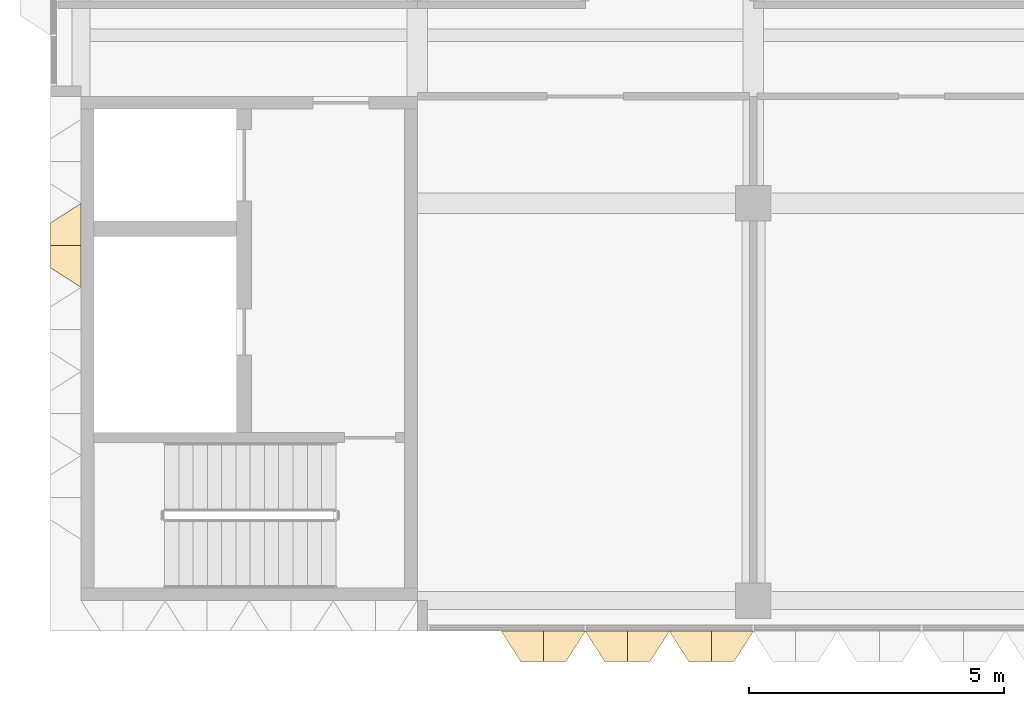
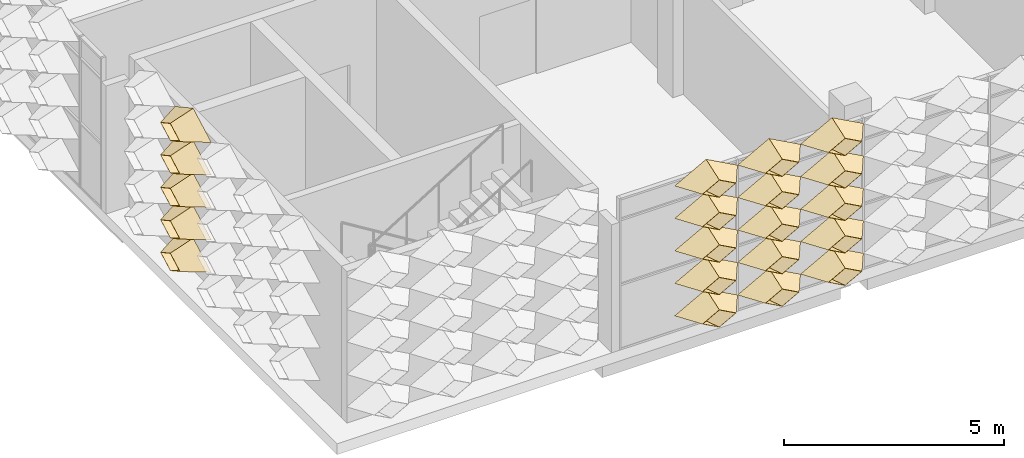
# One storey, part 13 of 28: 20 coverings.
"""IFC4 building model written with IfcOpenShell, lengths in metres."""

from ifc_helpers import new_model, entity, si_unit, direction, frame, origin, place, context, subcontext, project, spatial, material, layer, layer_set, type_object, element, save


model = new_model("IFC4")

# Units and contexts
model_context = context("Model", 3, precision=1e-05, world=origin(), true_north=direction((0.0, 1.0)))
body_context = subcontext(model_context, "Body", "Model", "MODEL_VIEW")
ifc_project = project(units=[si_unit("LENGTHUNIT", "METRE"), si_unit("AREAUNIT", "SQUARE_METRE"), si_unit("VOLUMEUNIT", "CUBIC_METRE"), si_unit("PLANEANGLEUNIT", "RADIAN"), si_unit("MASSUNIT", "GRAM", prefix="KILO")], contexts=[model_context])

# Site, building, storey
site_placement = place(None, origin())
site = spatial("IfcSite", under=ifc_project, at=site_placement, CompositionType="ELEMENT")
building_placement = place(site_placement, origin())
building = spatial("IfcBuilding", under=site, at=building_placement, Name="Lantern Court Research Institute", CompositionType="ELEMENT")
storey_placement = place(building_placement, frame((0.0, 0.0, 36.89990234375)))
storey = spatial("IfcBuildingStorey", under=building, at=storey_placement, Name="L08", CompositionType="ELEMENT", Elevation=36.89990234375)

# Coverings
ifc_material = material(Name="Anodised aluminium", Category="aluminium")
ifc_layer = layer(ifc_material, 0.01611328125)
ifc_layer_set = layer_set([ifc_layer], Name="Anodised aluminium")
covering_type = type_object("IfcCoveringType", Name="Fin cassette 1650 x 900 x 600 aluminium", PredefinedType="CLADDING", material=ifc_layer_set)
covering_1_placement = place(storey_placement, frame((61.875, -8.39990234375, 0.4501953125), z_axis=(0.0, -1.0, 0.0), x_axis=(1.0, 0.0, 0.0)))
cartesian_point_1 = entity("IfcCartesianPoint", [0.824951171875, 0.0])
cartesian_point_2 = entity("IfcCartesianPoint", [0.79150390625, 0.0])
cartesian_point_3 = entity("IfcCartesianPoint", [0.44189453125, 0.0])
cartesian_point_4 = entity("IfcCartesianPoint", [0.43359375, 0.0])
element("IfcCovering", 1, at=covering_1_placement, inside=storey, type_object=covering_type, Name="Fin cassette V5S-L08 1.38", PredefinedType="CLADDING", context=body_context, shape_type="SweptSolid", body=[
    entity("IfcExtrudedAreaSolidTapered", entity("IfcArbitraryProfileDefWithVoids", "AREA", None, entity("IfcPolyline", [cartesian_point_1, entity("IfcCartesianPoint", [0.0, 0.449951171875]), entity("IfcCartesianPoint", [-0.824951171875, 0.0]), entity("IfcCartesianPoint", [0.0, -0.449951171875]), cartesian_point_1]), [entity("IfcPolyline", [cartesian_point_2, entity("IfcCartesianPoint", [0.0, 0.431884765625]), entity("IfcCartesianPoint", [-0.79150390625, 0.0]), entity("IfcCartesianPoint", [0.0, -0.431884765625]), cartesian_point_2])]), entity("IfcAxis2Placement3D", entity("IfcCartesianPoint", [0.0, 0.0, 0.0])), entity("IfcDirection", [0.0, 0.0, 1.0]), 0.60009765625, entity("IfcArbitraryProfileDefWithVoids", "AREA", None, entity("IfcPolyline", [cartesian_point_3, entity("IfcCartesianPoint", [0.0, 0.240966796875]), entity("IfcCartesianPoint", [-0.44189453125, 0.0]), entity("IfcCartesianPoint", [0.0, -0.240966796875]), cartesian_point_3]), [entity("IfcPolyline", [cartesian_point_4, entity("IfcCartesianPoint", [0.0, 0.236572265625]), entity("IfcCartesianPoint", [-0.43359375, 0.0]), entity("IfcCartesianPoint", [0.0, -0.236572265625]), cartesian_point_4])])),
])
covering_2_placement = place(storey_placement, frame((63.52490234375, -8.39990234375, 0.4501953125), z_axis=(0.0, -1.0, 0.0), x_axis=(1.0, 0.0, 0.0)))
cartesian_point_5 = entity("IfcCartesianPoint", [0.824951171875, 0.0])
cartesian_point_6 = entity("IfcCartesianPoint", [0.79150390625, 0.0])
cartesian_point_7 = entity("IfcCartesianPoint", [0.44189453125, 0.0])
cartesian_point_8 = entity("IfcCartesianPoint", [0.43359375, 0.0])
element("IfcCovering", 2, at=covering_2_placement, inside=storey, type_object=covering_type, Name="Fin cassette V5S-L08 1.39", PredefinedType="CLADDING", context=body_context, shape_type="SweptSolid", body=[
    entity("IfcExtrudedAreaSolidTapered", entity("IfcArbitraryProfileDefWithVoids", "AREA", None, entity("IfcPolyline", [cartesian_point_5, entity("IfcCartesianPoint", [0.0, 0.449951171875]), entity("IfcCartesianPoint", [-0.824951171875, 0.0]), entity("IfcCartesianPoint", [0.0, -0.449951171875]), cartesian_point_5]), [entity("IfcPolyline", [cartesian_point_6, entity("IfcCartesianPoint", [0.0, 0.431884765625]), entity("IfcCartesianPoint", [-0.79150390625, 0.0]), entity("IfcCartesianPoint", [0.0, -0.431884765625]), cartesian_point_6])]), entity("IfcAxis2Placement3D", entity("IfcCartesianPoint", [0.0, 0.0, 0.0])), entity("IfcDirection", [0.0, 0.0, 1.0]), 0.60009765625, entity("IfcArbitraryProfileDefWithVoids", "AREA", None, entity("IfcPolyline", [cartesian_point_7, entity("IfcCartesianPoint", [0.0, 0.240966796875]), entity("IfcCartesianPoint", [-0.44189453125, 0.0]), entity("IfcCartesianPoint", [0.0, -0.240966796875]), cartesian_point_7]), [entity("IfcPolyline", [cartesian_point_8, entity("IfcCartesianPoint", [0.0, 0.236572265625]), entity("IfcCartesianPoint", [-0.43359375, 0.0]), entity("IfcCartesianPoint", [0.0, -0.236572265625]), cartesian_point_8])])),
])
covering_3_placement = place(storey_placement, frame((65.175048828125, -8.39990234375, 0.4501953125), z_axis=(0.0, -1.0, 0.0), x_axis=(1.0, 0.0, 0.0)))
cartesian_point_9 = entity("IfcCartesianPoint", [0.824951171875, 0.0])
cartesian_point_10 = entity("IfcCartesianPoint", [0.79150390625, 0.0])
cartesian_point_11 = entity("IfcCartesianPoint", [0.44189453125, 0.0])
cartesian_point_12 = entity("IfcCartesianPoint", [0.43359375, 0.0])
element("IfcCovering", 3, at=covering_3_placement, inside=storey, type_object=covering_type, Name="Fin cassette V5S-L08 1.40", PredefinedType="CLADDING", context=body_context, shape_type="SweptSolid", body=[
    entity("IfcExtrudedAreaSolidTapered", entity("IfcArbitraryProfileDefWithVoids", "AREA", None, entity("IfcPolyline", [cartesian_point_9, entity("IfcCartesianPoint", [0.0, 0.449951171875]), entity("IfcCartesianPoint", [-0.824951171875, 0.0]), entity("IfcCartesianPoint", [0.0, -0.449951171875]), cartesian_point_9]), [entity("IfcPolyline", [cartesian_point_10, entity("IfcCartesianPoint", [0.0, 0.431884765625]), entity("IfcCartesianPoint", [-0.79150390625, 0.0]), entity("IfcCartesianPoint", [0.0, -0.431884765625]), cartesian_point_10])]), entity("IfcAxis2Placement3D", entity("IfcCartesianPoint", [0.0, 0.0, 0.0])), entity("IfcDirection", [0.0, 0.0, 1.0]), 0.60009765625, entity("IfcArbitraryProfileDefWithVoids", "AREA", None, entity("IfcPolyline", [cartesian_point_11, entity("IfcCartesianPoint", [0.0, 0.240966796875]), entity("IfcCartesianPoint", [-0.44189453125, 0.0]), entity("IfcCartesianPoint", [0.0, -0.240966796875]), cartesian_point_11]), [entity("IfcPolyline", [cartesian_point_12, entity("IfcCartesianPoint", [0.0, 0.236572265625]), entity("IfcCartesianPoint", [-0.43359375, 0.0]), entity("IfcCartesianPoint", [0.0, -0.236572265625]), cartesian_point_12])])),
])
covering_4_placement = place(storey_placement, frame((61.875, -8.39990234375, 1.35009765625), z_axis=(0.0, -1.0, 0.0), x_axis=(1.0, 0.0, 0.0)))
cartesian_point_13 = entity("IfcCartesianPoint", [0.824951171875, 0.0])
cartesian_point_14 = entity("IfcCartesianPoint", [0.79150390625, 0.0])
cartesian_point_15 = entity("IfcCartesianPoint", [0.44189453125, 0.0])
cartesian_point_16 = entity("IfcCartesianPoint", [0.43359375, 0.0])
element("IfcCovering", 4, at=covering_4_placement, inside=storey, type_object=covering_type, Name="Fin cassette V5S-L08 2.38", PredefinedType="CLADDING", context=body_context, shape_type="SweptSolid", body=[
    entity("IfcExtrudedAreaSolidTapered", entity("IfcArbitraryProfileDefWithVoids", "AREA", None, entity("IfcPolyline", [cartesian_point_13, entity("IfcCartesianPoint", [0.0, 0.449951171875]), entity("IfcCartesianPoint", [-0.824951171875, 0.0]), entity("IfcCartesianPoint", [0.0, -0.449951171875]), cartesian_point_13]), [entity("IfcPolyline", [cartesian_point_14, entity("IfcCartesianPoint", [0.0, 0.431884765625]), entity("IfcCartesianPoint", [-0.79150390625, 0.0]), entity("IfcCartesianPoint", [0.0, -0.431884765625]), cartesian_point_14])]), entity("IfcAxis2Placement3D", entity("IfcCartesianPoint", [0.0, 0.0, 0.0])), entity("IfcDirection", [0.0, 0.0, 1.0]), 0.60009765625, entity("IfcArbitraryProfileDefWithVoids", "AREA", None, entity("IfcPolyline", [cartesian_point_15, entity("IfcCartesianPoint", [0.0, 0.240966796875]), entity("IfcCartesianPoint", [-0.44189453125, 0.0]), entity("IfcCartesianPoint", [0.0, -0.240966796875]), cartesian_point_15]), [entity("IfcPolyline", [cartesian_point_16, entity("IfcCartesianPoint", [0.0, 0.236572265625]), entity("IfcCartesianPoint", [-0.43359375, 0.0]), entity("IfcCartesianPoint", [0.0, -0.236572265625]), cartesian_point_16])])),
])
covering_5_placement = place(storey_placement, frame((63.52490234375, -8.39990234375, 1.35009765625), z_axis=(0.0, -1.0, 0.0), x_axis=(1.0, 0.0, 0.0)))
cartesian_point_17 = entity("IfcCartesianPoint", [0.824951171875, 0.0])
cartesian_point_18 = entity("IfcCartesianPoint", [0.79150390625, 0.0])
cartesian_point_19 = entity("IfcCartesianPoint", [0.44189453125, 0.0])
cartesian_point_20 = entity("IfcCartesianPoint", [0.43359375, 0.0])
element("IfcCovering", 5, at=covering_5_placement, inside=storey, type_object=covering_type, Name="Fin cassette V5S-L08 2.39", PredefinedType="CLADDING", context=body_context, shape_type="SweptSolid", body=[
    entity("IfcExtrudedAreaSolidTapered", entity("IfcArbitraryProfileDefWithVoids", "AREA", None, entity("IfcPolyline", [cartesian_point_17, entity("IfcCartesianPoint", [0.0, 0.449951171875]), entity("IfcCartesianPoint", [-0.824951171875, 0.0]), entity("IfcCartesianPoint", [0.0, -0.449951171875]), cartesian_point_17]), [entity("IfcPolyline", [cartesian_point_18, entity("IfcCartesianPoint", [0.0, 0.431884765625]), entity("IfcCartesianPoint", [-0.79150390625, 0.0]), entity("IfcCartesianPoint", [0.0, -0.431884765625]), cartesian_point_18])]), entity("IfcAxis2Placement3D", entity("IfcCartesianPoint", [0.0, 0.0, 0.0])), entity("IfcDirection", [0.0, 0.0, 1.0]), 0.60009765625, entity("IfcArbitraryProfileDefWithVoids", "AREA", None, entity("IfcPolyline", [cartesian_point_19, entity("IfcCartesianPoint", [0.0, 0.240966796875]), entity("IfcCartesianPoint", [-0.44189453125, 0.0]), entity("IfcCartesianPoint", [0.0, -0.240966796875]), cartesian_point_19]), [entity("IfcPolyline", [cartesian_point_20, entity("IfcCartesianPoint", [0.0, 0.236572265625]), entity("IfcCartesianPoint", [-0.43359375, 0.0]), entity("IfcCartesianPoint", [0.0, -0.236572265625]), cartesian_point_20])])),
])
covering_6_placement = place(storey_placement, frame((65.175048828125, -8.39990234375, 1.35009765625), z_axis=(0.0, -1.0, 0.0), x_axis=(1.0, 0.0, 0.0)))
cartesian_point_21 = entity("IfcCartesianPoint", [0.824951171875, 0.0])
cartesian_point_22 = entity("IfcCartesianPoint", [0.79150390625, 0.0])
cartesian_point_23 = entity("IfcCartesianPoint", [0.44189453125, 0.0])
cartesian_point_24 = entity("IfcCartesianPoint", [0.43359375, 0.0])
element("IfcCovering", 6, at=covering_6_placement, inside=storey, type_object=covering_type, Name="Fin cassette V5S-L08 2.40", PredefinedType="CLADDING", context=body_context, shape_type="SweptSolid", body=[
    entity("IfcExtrudedAreaSolidTapered", entity("IfcArbitraryProfileDefWithVoids", "AREA", None, entity("IfcPolyline", [cartesian_point_21, entity("IfcCartesianPoint", [0.0, 0.449951171875]), entity("IfcCartesianPoint", [-0.824951171875, 0.0]), entity("IfcCartesianPoint", [0.0, -0.449951171875]), cartesian_point_21]), [entity("IfcPolyline", [cartesian_point_22, entity("IfcCartesianPoint", [0.0, 0.431884765625]), entity("IfcCartesianPoint", [-0.79150390625, 0.0]), entity("IfcCartesianPoint", [0.0, -0.431884765625]), cartesian_point_22])]), entity("IfcAxis2Placement3D", entity("IfcCartesianPoint", [0.0, 0.0, 0.0])), entity("IfcDirection", [0.0, 0.0, 1.0]), 0.60009765625, entity("IfcArbitraryProfileDefWithVoids", "AREA", None, entity("IfcPolyline", [cartesian_point_23, entity("IfcCartesianPoint", [0.0, 0.240966796875]), entity("IfcCartesianPoint", [-0.44189453125, 0.0]), entity("IfcCartesianPoint", [0.0, -0.240966796875]), cartesian_point_23]), [entity("IfcPolyline", [cartesian_point_24, entity("IfcCartesianPoint", [0.0, 0.236572265625]), entity("IfcCartesianPoint", [-0.43359375, 0.0]), entity("IfcCartesianPoint", [0.0, -0.236572265625]), cartesian_point_24])])),
])
covering_7_placement = place(storey_placement, frame((61.875, -8.39990234375, 2.25), z_axis=(0.0, -1.0, 0.0), x_axis=(1.0, 0.0, 0.0)))
cartesian_point_25 = entity("IfcCartesianPoint", [0.824951171875, 0.0])
cartesian_point_26 = entity("IfcCartesianPoint", [0.79150390625, 0.0])
cartesian_point_27 = entity("IfcCartesianPoint", [0.44189453125, 0.0])
cartesian_point_28 = entity("IfcCartesianPoint", [0.43359375, 0.0])
element("IfcCovering", 7, at=covering_7_placement, inside=storey, type_object=covering_type, Name="Fin cassette V5S-L08 3.38", PredefinedType="CLADDING", context=body_context, shape_type="SweptSolid", body=[
    entity("IfcExtrudedAreaSolidTapered", entity("IfcArbitraryProfileDefWithVoids", "AREA", None, entity("IfcPolyline", [cartesian_point_25, entity("IfcCartesianPoint", [0.0, 0.449951171875]), entity("IfcCartesianPoint", [-0.824951171875, 0.0]), entity("IfcCartesianPoint", [0.0, -0.449951171875]), cartesian_point_25]), [entity("IfcPolyline", [cartesian_point_26, entity("IfcCartesianPoint", [0.0, 0.431884765625]), entity("IfcCartesianPoint", [-0.79150390625, 0.0]), entity("IfcCartesianPoint", [0.0, -0.431884765625]), cartesian_point_26])]), entity("IfcAxis2Placement3D", entity("IfcCartesianPoint", [0.0, 0.0, 0.0])), entity("IfcDirection", [0.0, 0.0, 1.0]), 0.60009765625, entity("IfcArbitraryProfileDefWithVoids", "AREA", None, entity("IfcPolyline", [cartesian_point_27, entity("IfcCartesianPoint", [0.0, 0.240966796875]), entity("IfcCartesianPoint", [-0.44189453125, 0.0]), entity("IfcCartesianPoint", [0.0, -0.240966796875]), cartesian_point_27]), [entity("IfcPolyline", [cartesian_point_28, entity("IfcCartesianPoint", [0.0, 0.236572265625]), entity("IfcCartesianPoint", [-0.43359375, 0.0]), entity("IfcCartesianPoint", [0.0, -0.236572265625]), cartesian_point_28])])),
])
covering_8_placement = place(storey_placement, frame((63.52490234375, -8.39990234375, 2.25), z_axis=(0.0, -1.0, 0.0), x_axis=(1.0, 0.0, 0.0)))
cartesian_point_29 = entity("IfcCartesianPoint", [0.824951171875, 0.0])
cartesian_point_30 = entity("IfcCartesianPoint", [0.79150390625, 0.0])
cartesian_point_31 = entity("IfcCartesianPoint", [0.44189453125, 0.0])
cartesian_point_32 = entity("IfcCartesianPoint", [0.43359375, 0.0])
element("IfcCovering", 8, at=covering_8_placement, inside=storey, type_object=covering_type, Name="Fin cassette V5S-L08 3.39", PredefinedType="CLADDING", context=body_context, shape_type="SweptSolid", body=[
    entity("IfcExtrudedAreaSolidTapered", entity("IfcArbitraryProfileDefWithVoids", "AREA", None, entity("IfcPolyline", [cartesian_point_29, entity("IfcCartesianPoint", [0.0, 0.449951171875]), entity("IfcCartesianPoint", [-0.824951171875, 0.0]), entity("IfcCartesianPoint", [0.0, -0.449951171875]), cartesian_point_29]), [entity("IfcPolyline", [cartesian_point_30, entity("IfcCartesianPoint", [0.0, 0.431884765625]), entity("IfcCartesianPoint", [-0.79150390625, 0.0]), entity("IfcCartesianPoint", [0.0, -0.431884765625]), cartesian_point_30])]), entity("IfcAxis2Placement3D", entity("IfcCartesianPoint", [0.0, 0.0, 0.0])), entity("IfcDirection", [0.0, 0.0, 1.0]), 0.60009765625, entity("IfcArbitraryProfileDefWithVoids", "AREA", None, entity("IfcPolyline", [cartesian_point_31, entity("IfcCartesianPoint", [0.0, 0.240966796875]), entity("IfcCartesianPoint", [-0.44189453125, 0.0]), entity("IfcCartesianPoint", [0.0, -0.240966796875]), cartesian_point_31]), [entity("IfcPolyline", [cartesian_point_32, entity("IfcCartesianPoint", [0.0, 0.236572265625]), entity("IfcCartesianPoint", [-0.43359375, 0.0]), entity("IfcCartesianPoint", [0.0, -0.236572265625]), cartesian_point_32])])),
])
covering_9_placement = place(storey_placement, frame((65.175048828125, -8.39990234375, 2.25), z_axis=(0.0, -1.0, 0.0), x_axis=(1.0, 0.0, 0.0)))
cartesian_point_33 = entity("IfcCartesianPoint", [0.824951171875, 0.0])
cartesian_point_34 = entity("IfcCartesianPoint", [0.79150390625, 0.0])
cartesian_point_35 = entity("IfcCartesianPoint", [0.44189453125, 0.0])
cartesian_point_36 = entity("IfcCartesianPoint", [0.43359375, 0.0])
element("IfcCovering", 9, at=covering_9_placement, inside=storey, type_object=covering_type, Name="Fin cassette V5S-L08 3.40", PredefinedType="CLADDING", context=body_context, shape_type="SweptSolid", body=[
    entity("IfcExtrudedAreaSolidTapered", entity("IfcArbitraryProfileDefWithVoids", "AREA", None, entity("IfcPolyline", [cartesian_point_33, entity("IfcCartesianPoint", [0.0, 0.449951171875]), entity("IfcCartesianPoint", [-0.824951171875, 0.0]), entity("IfcCartesianPoint", [0.0, -0.449951171875]), cartesian_point_33]), [entity("IfcPolyline", [cartesian_point_34, entity("IfcCartesianPoint", [0.0, 0.431884765625]), entity("IfcCartesianPoint", [-0.79150390625, 0.0]), entity("IfcCartesianPoint", [0.0, -0.431884765625]), cartesian_point_34])]), entity("IfcAxis2Placement3D", entity("IfcCartesianPoint", [0.0, 0.0, 0.0])), entity("IfcDirection", [0.0, 0.0, 1.0]), 0.60009765625, entity("IfcArbitraryProfileDefWithVoids", "AREA", None, entity("IfcPolyline", [cartesian_point_35, entity("IfcCartesianPoint", [0.0, 0.240966796875]), entity("IfcCartesianPoint", [-0.44189453125, 0.0]), entity("IfcCartesianPoint", [0.0, -0.240966796875]), cartesian_point_35]), [entity("IfcPolyline", [cartesian_point_36, entity("IfcCartesianPoint", [0.0, 0.236572265625]), entity("IfcCartesianPoint", [-0.43359375, 0.0]), entity("IfcCartesianPoint", [0.0, -0.236572265625]), cartesian_point_36])])),
])
covering_10_placement = place(storey_placement, frame((61.875, -8.39990234375, 3.150146484375), z_axis=(0.0, -1.0, 0.0), x_axis=(1.0, 0.0, 0.0)))
cartesian_point_37 = entity("IfcCartesianPoint", [0.824951171875, 0.0])
cartesian_point_38 = entity("IfcCartesianPoint", [0.79150390625, 0.0])
cartesian_point_39 = entity("IfcCartesianPoint", [0.44189453125, 0.0])
cartesian_point_40 = entity("IfcCartesianPoint", [0.43359375, 0.0])
element("IfcCovering", 10, at=covering_10_placement, inside=storey, type_object=covering_type, Name="Fin cassette V5S-L08 4.38", PredefinedType="CLADDING", context=body_context, shape_type="SweptSolid", body=[
    entity("IfcExtrudedAreaSolidTapered", entity("IfcArbitraryProfileDefWithVoids", "AREA", None, entity("IfcPolyline", [cartesian_point_37, entity("IfcCartesianPoint", [0.0, 0.449951171875]), entity("IfcCartesianPoint", [-0.824951171875, 0.0]), entity("IfcCartesianPoint", [0.0, -0.449951171875]), cartesian_point_37]), [entity("IfcPolyline", [cartesian_point_38, entity("IfcCartesianPoint", [0.0, 0.431884765625]), entity("IfcCartesianPoint", [-0.79150390625, 0.0]), entity("IfcCartesianPoint", [0.0, -0.431884765625]), cartesian_point_38])]), entity("IfcAxis2Placement3D", entity("IfcCartesianPoint", [0.0, 0.0, 0.0])), entity("IfcDirection", [0.0, 0.0, 1.0]), 0.60009765625, entity("IfcArbitraryProfileDefWithVoids", "AREA", None, entity("IfcPolyline", [cartesian_point_39, entity("IfcCartesianPoint", [0.0, 0.240966796875]), entity("IfcCartesianPoint", [-0.44189453125, 0.0]), entity("IfcCartesianPoint", [0.0, -0.240966796875]), cartesian_point_39]), [entity("IfcPolyline", [cartesian_point_40, entity("IfcCartesianPoint", [0.0, 0.236572265625]), entity("IfcCartesianPoint", [-0.43359375, 0.0]), entity("IfcCartesianPoint", [0.0, -0.236572265625]), cartesian_point_40])])),
])
covering_11_placement = place(storey_placement, frame((63.52490234375, -8.39990234375, 3.150146484375), z_axis=(0.0, -1.0, 0.0), x_axis=(1.0, 0.0, 0.0)))
cartesian_point_41 = entity("IfcCartesianPoint", [0.824951171875, 0.0])
cartesian_point_42 = entity("IfcCartesianPoint", [0.79150390625, 0.0])
cartesian_point_43 = entity("IfcCartesianPoint", [0.44189453125, 0.0])
cartesian_point_44 = entity("IfcCartesianPoint", [0.43359375, 0.0])
element("IfcCovering", 11, at=covering_11_placement, inside=storey, type_object=covering_type, Name="Fin cassette V5S-L08 4.39", PredefinedType="CLADDING", context=body_context, shape_type="SweptSolid", body=[
    entity("IfcExtrudedAreaSolidTapered", entity("IfcArbitraryProfileDefWithVoids", "AREA", None, entity("IfcPolyline", [cartesian_point_41, entity("IfcCartesianPoint", [0.0, 0.449951171875]), entity("IfcCartesianPoint", [-0.824951171875, 0.0]), entity("IfcCartesianPoint", [0.0, -0.449951171875]), cartesian_point_41]), [entity("IfcPolyline", [cartesian_point_42, entity("IfcCartesianPoint", [0.0, 0.431884765625]), entity("IfcCartesianPoint", [-0.79150390625, 0.0]), entity("IfcCartesianPoint", [0.0, -0.431884765625]), cartesian_point_42])]), entity("IfcAxis2Placement3D", entity("IfcCartesianPoint", [0.0, 0.0, 0.0])), entity("IfcDirection", [0.0, 0.0, 1.0]), 0.60009765625, entity("IfcArbitraryProfileDefWithVoids", "AREA", None, entity("IfcPolyline", [cartesian_point_43, entity("IfcCartesianPoint", [0.0, 0.240966796875]), entity("IfcCartesianPoint", [-0.44189453125, 0.0]), entity("IfcCartesianPoint", [0.0, -0.240966796875]), cartesian_point_43]), [entity("IfcPolyline", [cartesian_point_44, entity("IfcCartesianPoint", [0.0, 0.236572265625]), entity("IfcCartesianPoint", [-0.43359375, 0.0]), entity("IfcCartesianPoint", [0.0, -0.236572265625]), cartesian_point_44])])),
])
covering_12_placement = place(storey_placement, frame((65.175048828125, -8.39990234375, 3.150146484375), z_axis=(0.0, -1.0, 0.0), x_axis=(1.0, 0.0, 0.0)))
cartesian_point_45 = entity("IfcCartesianPoint", [0.824951171875, 0.0])
cartesian_point_46 = entity("IfcCartesianPoint", [0.79150390625, 0.0])
cartesian_point_47 = entity("IfcCartesianPoint", [0.44189453125, 0.0])
cartesian_point_48 = entity("IfcCartesianPoint", [0.43359375, 0.0])
element("IfcCovering", 12, at=covering_12_placement, inside=storey, type_object=covering_type, Name="Fin cassette V5S-L08 4.40", PredefinedType="CLADDING", context=body_context, shape_type="SweptSolid", body=[
    entity("IfcExtrudedAreaSolidTapered", entity("IfcArbitraryProfileDefWithVoids", "AREA", None, entity("IfcPolyline", [cartesian_point_45, entity("IfcCartesianPoint", [0.0, 0.449951171875]), entity("IfcCartesianPoint", [-0.824951171875, 0.0]), entity("IfcCartesianPoint", [0.0, -0.449951171875]), cartesian_point_45]), [entity("IfcPolyline", [cartesian_point_46, entity("IfcCartesianPoint", [0.0, 0.431884765625]), entity("IfcCartesianPoint", [-0.79150390625, 0.0]), entity("IfcCartesianPoint", [0.0, -0.431884765625]), cartesian_point_46])]), entity("IfcAxis2Placement3D", entity("IfcCartesianPoint", [0.0, 0.0, 0.0])), entity("IfcDirection", [0.0, 0.0, 1.0]), 0.60009765625, entity("IfcArbitraryProfileDefWithVoids", "AREA", None, entity("IfcPolyline", [cartesian_point_47, entity("IfcCartesianPoint", [0.0, 0.240966796875]), entity("IfcCartesianPoint", [-0.44189453125, 0.0]), entity("IfcCartesianPoint", [0.0, -0.240966796875]), cartesian_point_47]), [entity("IfcPolyline", [cartesian_point_48, entity("IfcCartesianPoint", [0.0, 0.236572265625]), entity("IfcCartesianPoint", [-0.43359375, 0.0]), entity("IfcCartesianPoint", [0.0, -0.236572265625]), cartesian_point_48])])),
])
covering_13_placement = place(storey_placement, frame((61.875, -8.39990234375, 4.050048828125), z_axis=(0.0, -1.0, 0.0), x_axis=(1.0, 0.0, 0.0)))
cartesian_point_49 = entity("IfcCartesianPoint", [0.824951171875, 0.0])
cartesian_point_50 = entity("IfcCartesianPoint", [0.79150390625, 0.0])
cartesian_point_51 = entity("IfcCartesianPoint", [0.44189453125, 0.0])
cartesian_point_52 = entity("IfcCartesianPoint", [0.43359375, 0.0])
element("IfcCovering", 13, at=covering_13_placement, inside=storey, type_object=covering_type, Name="Fin cassette V5S-L08 5.38", PredefinedType="CLADDING", context=body_context, shape_type="SweptSolid", body=[
    entity("IfcExtrudedAreaSolidTapered", entity("IfcArbitraryProfileDefWithVoids", "AREA", None, entity("IfcPolyline", [cartesian_point_49, entity("IfcCartesianPoint", [0.0, 0.449951171875]), entity("IfcCartesianPoint", [-0.824951171875, 0.0]), entity("IfcCartesianPoint", [0.0, -0.449951171875]), cartesian_point_49]), [entity("IfcPolyline", [cartesian_point_50, entity("IfcCartesianPoint", [0.0, 0.431884765625]), entity("IfcCartesianPoint", [-0.79150390625, 0.0]), entity("IfcCartesianPoint", [0.0, -0.431884765625]), cartesian_point_50])]), entity("IfcAxis2Placement3D", entity("IfcCartesianPoint", [0.0, 0.0, 0.0])), entity("IfcDirection", [0.0, 0.0, 1.0]), 0.60009765625, entity("IfcArbitraryProfileDefWithVoids", "AREA", None, entity("IfcPolyline", [cartesian_point_51, entity("IfcCartesianPoint", [0.0, 0.240966796875]), entity("IfcCartesianPoint", [-0.44189453125, 0.0]), entity("IfcCartesianPoint", [0.0, -0.240966796875]), cartesian_point_51]), [entity("IfcPolyline", [cartesian_point_52, entity("IfcCartesianPoint", [0.0, 0.236572265625]), entity("IfcCartesianPoint", [-0.43359375, 0.0]), entity("IfcCartesianPoint", [0.0, -0.236572265625]), cartesian_point_52])])),
])
covering_14_placement = place(storey_placement, frame((63.52490234375, -8.39990234375, 4.050048828125), z_axis=(0.0, -1.0, 0.0), x_axis=(1.0, 0.0, 0.0)))
cartesian_point_53 = entity("IfcCartesianPoint", [0.824951171875, 0.0])
cartesian_point_54 = entity("IfcCartesianPoint", [0.79150390625, 0.0])
cartesian_point_55 = entity("IfcCartesianPoint", [0.44189453125, 0.0])
cartesian_point_56 = entity("IfcCartesianPoint", [0.43359375, 0.0])
element("IfcCovering", 14, at=covering_14_placement, inside=storey, type_object=covering_type, Name="Fin cassette V5S-L08 5.39", PredefinedType="CLADDING", context=body_context, shape_type="SweptSolid", body=[
    entity("IfcExtrudedAreaSolidTapered", entity("IfcArbitraryProfileDefWithVoids", "AREA", None, entity("IfcPolyline", [cartesian_point_53, entity("IfcCartesianPoint", [0.0, 0.449951171875]), entity("IfcCartesianPoint", [-0.824951171875, 0.0]), entity("IfcCartesianPoint", [0.0, -0.449951171875]), cartesian_point_53]), [entity("IfcPolyline", [cartesian_point_54, entity("IfcCartesianPoint", [0.0, 0.431884765625]), entity("IfcCartesianPoint", [-0.79150390625, 0.0]), entity("IfcCartesianPoint", [0.0, -0.431884765625]), cartesian_point_54])]), entity("IfcAxis2Placement3D", entity("IfcCartesianPoint", [0.0, 0.0, 0.0])), entity("IfcDirection", [0.0, 0.0, 1.0]), 0.60009765625, entity("IfcArbitraryProfileDefWithVoids", "AREA", None, entity("IfcPolyline", [cartesian_point_55, entity("IfcCartesianPoint", [0.0, 0.240966796875]), entity("IfcCartesianPoint", [-0.44189453125, 0.0]), entity("IfcCartesianPoint", [0.0, -0.240966796875]), cartesian_point_55]), [entity("IfcPolyline", [cartesian_point_56, entity("IfcCartesianPoint", [0.0, 0.236572265625]), entity("IfcCartesianPoint", [-0.43359375, 0.0]), entity("IfcCartesianPoint", [0.0, -0.236572265625]), cartesian_point_56])])),
])
covering_15_placement = place(storey_placement, frame((65.175048828125, -8.39990234375, 4.050048828125), z_axis=(0.0, -1.0, 0.0), x_axis=(1.0, 0.0, 0.0)))
cartesian_point_57 = entity("IfcCartesianPoint", [0.824951171875, 0.0])
cartesian_point_58 = entity("IfcCartesianPoint", [0.79150390625, 0.0])
cartesian_point_59 = entity("IfcCartesianPoint", [0.44189453125, 0.0])
cartesian_point_60 = entity("IfcCartesianPoint", [0.43359375, 0.0])
element("IfcCovering", 15, at=covering_15_placement, inside=storey, type_object=covering_type, Name="Fin cassette V5S-L08 5.40", PredefinedType="CLADDING", context=body_context, shape_type="SweptSolid", body=[
    entity("IfcExtrudedAreaSolidTapered", entity("IfcArbitraryProfileDefWithVoids", "AREA", None, entity("IfcPolyline", [cartesian_point_57, entity("IfcCartesianPoint", [0.0, 0.449951171875]), entity("IfcCartesianPoint", [-0.824951171875, 0.0]), entity("IfcCartesianPoint", [0.0, -0.449951171875]), cartesian_point_57]), [entity("IfcPolyline", [cartesian_point_58, entity("IfcCartesianPoint", [0.0, 0.431884765625]), entity("IfcCartesianPoint", [-0.79150390625, 0.0]), entity("IfcCartesianPoint", [0.0, -0.431884765625]), cartesian_point_58])]), entity("IfcAxis2Placement3D", entity("IfcCartesianPoint", [0.0, 0.0, 0.0])), entity("IfcDirection", [0.0, 0.0, 1.0]), 0.60009765625, entity("IfcArbitraryProfileDefWithVoids", "AREA", None, entity("IfcPolyline", [cartesian_point_59, entity("IfcCartesianPoint", [0.0, 0.240966796875]), entity("IfcCartesianPoint", [-0.44189453125, 0.0]), entity("IfcCartesianPoint", [0.0, -0.240966796875]), cartesian_point_59]), [entity("IfcPolyline", [cartesian_point_60, entity("IfcCartesianPoint", [0.0, 0.236572265625]), entity("IfcCartesianPoint", [-0.43359375, 0.0]), entity("IfcCartesianPoint", [0.0, -0.236572265625]), cartesian_point_60])])),
])
covering_16_placement = place(storey_placement, frame((52.800048828125, -0.824951171875, 0.4501953125), z_axis=(-1.0, 0.0, 0.0), x_axis=(0.0, -1.0, 0.0)))
cartesian_point_61 = entity("IfcCartesianPoint", [0.824951171875, 0.0])
cartesian_point_62 = entity("IfcCartesianPoint", [0.79150390625, 0.0])
cartesian_point_63 = entity("IfcCartesianPoint", [0.44189453125, 0.0])
cartesian_point_64 = entity("IfcCartesianPoint", [0.43359375, 0.0])
element("IfcCovering", 16, at=covering_16_placement, inside=storey, type_object=covering_type, Name="Fin cassette V5W-L08 1.0", PredefinedType="CLADDING", context=body_context, shape_type="SweptSolid", body=[
    entity("IfcExtrudedAreaSolidTapered", entity("IfcArbitraryProfileDefWithVoids", "AREA", None, entity("IfcPolyline", [cartesian_point_61, entity("IfcCartesianPoint", [0.0, 0.449951171875]), entity("IfcCartesianPoint", [-0.824951171875, 0.0]), entity("IfcCartesianPoint", [0.0, -0.449951171875]), cartesian_point_61]), [entity("IfcPolyline", [cartesian_point_62, entity("IfcCartesianPoint", [0.0, 0.431884765625]), entity("IfcCartesianPoint", [-0.79150390625, 0.0]), entity("IfcCartesianPoint", [0.0, -0.431884765625]), cartesian_point_62])]), entity("IfcAxis2Placement3D", entity("IfcCartesianPoint", [0.0, 0.0, 0.0])), entity("IfcDirection", [0.0, 0.0, 1.0]), 0.60009765625, entity("IfcArbitraryProfileDefWithVoids", "AREA", None, entity("IfcPolyline", [cartesian_point_63, entity("IfcCartesianPoint", [0.0, 0.240966796875]), entity("IfcCartesianPoint", [-0.44189453125, 0.0]), entity("IfcCartesianPoint", [0.0, -0.240966796875]), cartesian_point_63]), [entity("IfcPolyline", [cartesian_point_64, entity("IfcCartesianPoint", [0.0, 0.236572265625]), entity("IfcCartesianPoint", [-0.43359375, 0.0]), entity("IfcCartesianPoint", [0.0, -0.236572265625]), cartesian_point_64])])),
])
covering_17_placement = place(storey_placement, frame((52.800048828125, -0.824951171875, 1.35009765625), z_axis=(-1.0, 0.0, 0.0), x_axis=(0.0, -1.0, 0.0)))
cartesian_point_65 = entity("IfcCartesianPoint", [0.824951171875, 0.0])
cartesian_point_66 = entity("IfcCartesianPoint", [0.79150390625, 0.0])
cartesian_point_67 = entity("IfcCartesianPoint", [0.44189453125, 0.0])
cartesian_point_68 = entity("IfcCartesianPoint", [0.43359375, 0.0])
element("IfcCovering", 17, at=covering_17_placement, inside=storey, type_object=covering_type, Name="Fin cassette V5W-L08 2.0", PredefinedType="CLADDING", context=body_context, shape_type="SweptSolid", body=[
    entity("IfcExtrudedAreaSolidTapered", entity("IfcArbitraryProfileDefWithVoids", "AREA", None, entity("IfcPolyline", [cartesian_point_65, entity("IfcCartesianPoint", [0.0, 0.449951171875]), entity("IfcCartesianPoint", [-0.824951171875, 0.0]), entity("IfcCartesianPoint", [0.0, -0.449951171875]), cartesian_point_65]), [entity("IfcPolyline", [cartesian_point_66, entity("IfcCartesianPoint", [0.0, 0.431884765625]), entity("IfcCartesianPoint", [-0.79150390625, 0.0]), entity("IfcCartesianPoint", [0.0, -0.431884765625]), cartesian_point_66])]), entity("IfcAxis2Placement3D", entity("IfcCartesianPoint", [0.0, 0.0, 0.0])), entity("IfcDirection", [0.0, 0.0, 1.0]), 0.60009765625, entity("IfcArbitraryProfileDefWithVoids", "AREA", None, entity("IfcPolyline", [cartesian_point_67, entity("IfcCartesianPoint", [0.0, 0.240966796875]), entity("IfcCartesianPoint", [-0.44189453125, 0.0]), entity("IfcCartesianPoint", [0.0, -0.240966796875]), cartesian_point_67]), [entity("IfcPolyline", [cartesian_point_68, entity("IfcCartesianPoint", [0.0, 0.236572265625]), entity("IfcCartesianPoint", [-0.43359375, 0.0]), entity("IfcCartesianPoint", [0.0, -0.236572265625]), cartesian_point_68])])),
])
covering_18_placement = place(storey_placement, frame((52.800048828125, -0.824951171875, 2.25), z_axis=(-1.0, 0.0, 0.0), x_axis=(0.0, -1.0, 0.0)))
cartesian_point_69 = entity("IfcCartesianPoint", [0.824951171875, 0.0])
cartesian_point_70 = entity("IfcCartesianPoint", [0.79150390625, 0.0])
cartesian_point_71 = entity("IfcCartesianPoint", [0.44189453125, 0.0])
cartesian_point_72 = entity("IfcCartesianPoint", [0.43359375, 0.0])
element("IfcCovering", 18, at=covering_18_placement, inside=storey, type_object=covering_type, Name="Fin cassette V5W-L08 3.0", PredefinedType="CLADDING", context=body_context, shape_type="SweptSolid", body=[
    entity("IfcExtrudedAreaSolidTapered", entity("IfcArbitraryProfileDefWithVoids", "AREA", None, entity("IfcPolyline", [cartesian_point_69, entity("IfcCartesianPoint", [0.0, 0.449951171875]), entity("IfcCartesianPoint", [-0.824951171875, 0.0]), entity("IfcCartesianPoint", [0.0, -0.449951171875]), cartesian_point_69]), [entity("IfcPolyline", [cartesian_point_70, entity("IfcCartesianPoint", [0.0, 0.431884765625]), entity("IfcCartesianPoint", [-0.79150390625, 0.0]), entity("IfcCartesianPoint", [0.0, -0.431884765625]), cartesian_point_70])]), entity("IfcAxis2Placement3D", entity("IfcCartesianPoint", [0.0, 0.0, 0.0])), entity("IfcDirection", [0.0, 0.0, 1.0]), 0.60009765625, entity("IfcArbitraryProfileDefWithVoids", "AREA", None, entity("IfcPolyline", [cartesian_point_71, entity("IfcCartesianPoint", [0.0, 0.240966796875]), entity("IfcCartesianPoint", [-0.44189453125, 0.0]), entity("IfcCartesianPoint", [0.0, -0.240966796875]), cartesian_point_71]), [entity("IfcPolyline", [cartesian_point_72, entity("IfcCartesianPoint", [0.0, 0.236572265625]), entity("IfcCartesianPoint", [-0.43359375, 0.0]), entity("IfcCartesianPoint", [0.0, -0.236572265625]), cartesian_point_72])])),
])
covering_19_placement = place(storey_placement, frame((52.800048828125, -0.824951171875, 3.150146484375), z_axis=(-1.0, 0.0, 0.0), x_axis=(0.0, -1.0, 0.0)))
cartesian_point_73 = entity("IfcCartesianPoint", [0.824951171875, 0.0])
cartesian_point_74 = entity("IfcCartesianPoint", [0.79150390625, 0.0])
cartesian_point_75 = entity("IfcCartesianPoint", [0.44189453125, 0.0])
cartesian_point_76 = entity("IfcCartesianPoint", [0.43359375, 0.0])
element("IfcCovering", 19, at=covering_19_placement, inside=storey, type_object=covering_type, Name="Fin cassette V5W-L08 4.0", PredefinedType="CLADDING", context=body_context, shape_type="SweptSolid", body=[
    entity("IfcExtrudedAreaSolidTapered", entity("IfcArbitraryProfileDefWithVoids", "AREA", None, entity("IfcPolyline", [cartesian_point_73, entity("IfcCartesianPoint", [0.0, 0.449951171875]), entity("IfcCartesianPoint", [-0.824951171875, 0.0]), entity("IfcCartesianPoint", [0.0, -0.449951171875]), cartesian_point_73]), [entity("IfcPolyline", [cartesian_point_74, entity("IfcCartesianPoint", [0.0, 0.431884765625]), entity("IfcCartesianPoint", [-0.79150390625, 0.0]), entity("IfcCartesianPoint", [0.0, -0.431884765625]), cartesian_point_74])]), entity("IfcAxis2Placement3D", entity("IfcCartesianPoint", [0.0, 0.0, 0.0])), entity("IfcDirection", [0.0, 0.0, 1.0]), 0.60009765625, entity("IfcArbitraryProfileDefWithVoids", "AREA", None, entity("IfcPolyline", [cartesian_point_75, entity("IfcCartesianPoint", [0.0, 0.240966796875]), entity("IfcCartesianPoint", [-0.44189453125, 0.0]), entity("IfcCartesianPoint", [0.0, -0.240966796875]), cartesian_point_75]), [entity("IfcPolyline", [cartesian_point_76, entity("IfcCartesianPoint", [0.0, 0.236572265625]), entity("IfcCartesianPoint", [-0.43359375, 0.0]), entity("IfcCartesianPoint", [0.0, -0.236572265625]), cartesian_point_76])])),
])
covering_20_placement = place(storey_placement, frame((52.800048828125, -0.824951171875, 4.050048828125), z_axis=(-1.0, 0.0, 0.0), x_axis=(0.0, -1.0, 0.0)))
cartesian_point_77 = entity("IfcCartesianPoint", [0.824951171875, 0.0])
cartesian_point_78 = entity("IfcCartesianPoint", [0.79150390625, 0.0])
cartesian_point_79 = entity("IfcCartesianPoint", [0.44189453125, 0.0])
cartesian_point_80 = entity("IfcCartesianPoint", [0.43359375, 0.0])
element("IfcCovering", 20, at=covering_20_placement, inside=storey, type_object=covering_type, Name="Fin cassette V5W-L08 5.0", PredefinedType="CLADDING", context=body_context, shape_type="SweptSolid", body=[
    entity("IfcExtrudedAreaSolidTapered", entity("IfcArbitraryProfileDefWithVoids", "AREA", None, entity("IfcPolyline", [cartesian_point_77, entity("IfcCartesianPoint", [0.0, 0.449951171875]), entity("IfcCartesianPoint", [-0.824951171875, 0.0]), entity("IfcCartesianPoint", [0.0, -0.449951171875]), cartesian_point_77]), [entity("IfcPolyline", [cartesian_point_78, entity("IfcCartesianPoint", [0.0, 0.431884765625]), entity("IfcCartesianPoint", [-0.79150390625, 0.0]), entity("IfcCartesianPoint", [0.0, -0.431884765625]), cartesian_point_78])]), entity("IfcAxis2Placement3D", entity("IfcCartesianPoint", [0.0, 0.0, 0.0])), entity("IfcDirection", [0.0, 0.0, 1.0]), 0.60009765625, entity("IfcArbitraryProfileDefWithVoids", "AREA", None, entity("IfcPolyline", [cartesian_point_79, entity("IfcCartesianPoint", [0.0, 0.240966796875]), entity("IfcCartesianPoint", [-0.44189453125, 0.0]), entity("IfcCartesianPoint", [0.0, -0.240966796875]), cartesian_point_79]), [entity("IfcPolyline", [cartesian_point_80, entity("IfcCartesianPoint", [0.0, 0.236572265625]), entity("IfcCartesianPoint", [-0.43359375, 0.0]), entity("IfcCartesianPoint", [0.0, -0.236572265625]), cartesian_point_80])])),
])

save(model, "model.ifc")
